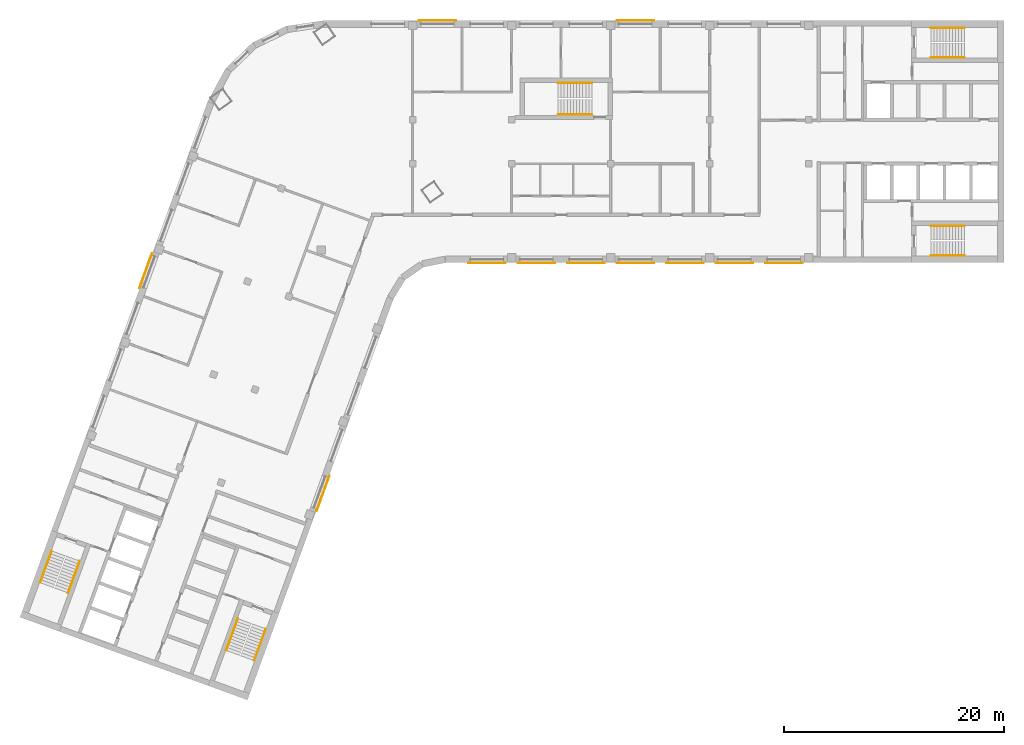
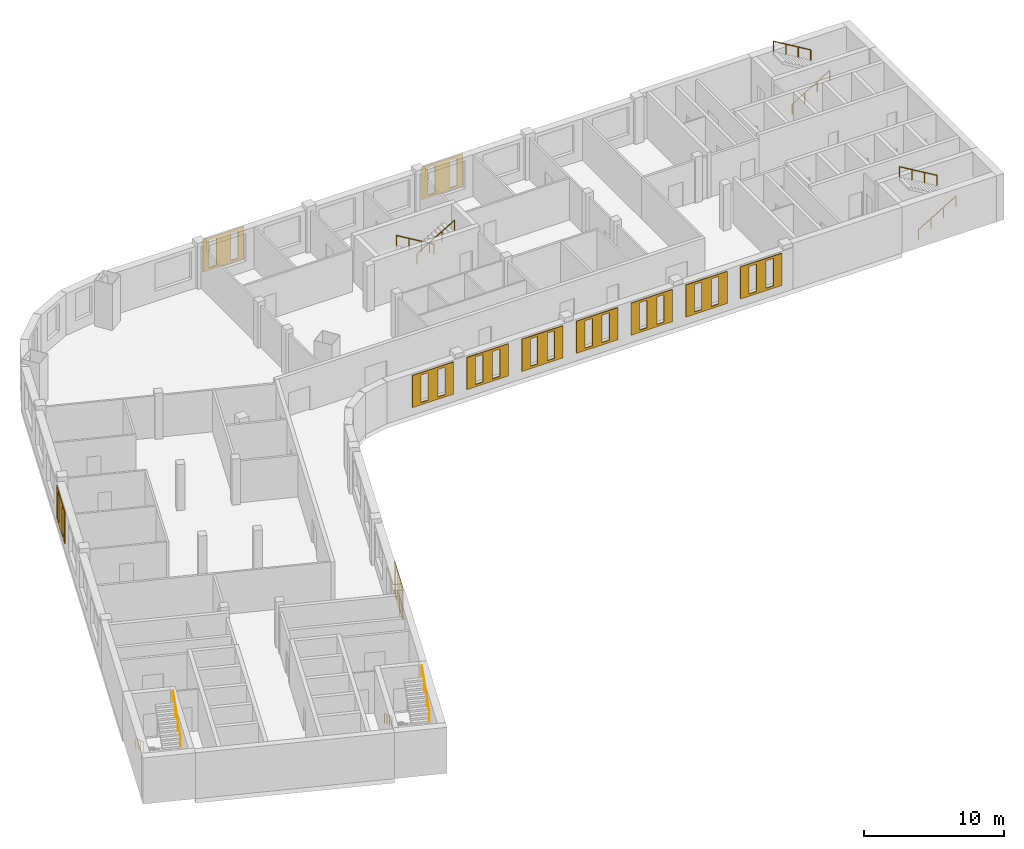
# One storey, part 8 of 8: 11 coverings, 10 railings.
"""IFC4 building model written with IfcOpenShell, lengths in metres."""

from ifc_helpers import new_model, si_unit, direction, frame, origin, origin_2d, place, context, subcontext, project, spatial, polyline, circle, outline, extrude, material, material_profile, profile_set, type_object, element, save


model = new_model("IFC4")

# Units and contexts
model_context = context("Model", 3, precision=1e-05, world=origin(), true_north=direction((0.0, 1.0)))
body_context = subcontext(model_context, "Body", "Model", "MODEL_VIEW")
ifc_project = project(units=[si_unit("LENGTHUNIT", "METRE"), si_unit("AREAUNIT", "SQUARE_METRE"), si_unit("VOLUMEUNIT", "CUBIC_METRE"), si_unit("PLANEANGLEUNIT", "RADIAN"), si_unit("MASSUNIT", "GRAM", prefix="KILO")], contexts=[model_context])

# Site, building, storey
site_placement = place(None, origin())
site = spatial("IfcSite", under=ifc_project, at=site_placement, CompositionType="ELEMENT")
building_placement = place(site_placement, origin())
building = spatial("IfcBuilding", under=site, at=building_placement, Name="Skarvind Civic Tower", CompositionType="ELEMENT")
storey_placement = place(building_placement, frame((0.0, 0.0, 224.0)))
storey = spatial("IfcBuildingStorey", under=building, at=storey_placement, Name="L53", CompositionType="ELEMENT", Elevation=224.0)

# Railings
ifc_material_1 = material(Name="Painted steel handrail", Category="steel")
railing_type = type_object("IfcRailingType", Name="Stair handrail 900", PredefinedType="HANDRAIL", material=ifc_material_1)
railing_1_placement = place(storey_placement, frame((101.35009765625, 135.64990234375, 0.166748046875)))
element("IfcRailing", 1, at=railing_1_placement, inside=storey, type_object=railing_type, Name="Stair handrail", PredefinedType="HANDRAIL", context=body_context, shape_type="SweptSolid", body=[
    extrude(circle(Radius=0.02392578125, at=origin_2d()), frame((0.0, 0.0, 0.8759765625), z_axis=(0.859290745958, 0.0, 0.51148745235), x_axis=(0.0, 1.0, 0.0)), (0.0, 0.0, 1.0), 3.584228515625),
    extrude(circle(Radius=0.02099609375, at=origin_2d()), origin(), (0.0, 0.0, 1.0), 0.851806640625),
    extrude(circle(Radius=0.02099609375, at=origin_2d()), frame((1.026611328125, 0.0, 0.611083984375)), (0.0, 0.0, 1.0), 0.851806640625),
    extrude(circle(Radius=0.02099609375, at=origin_2d()), frame((2.05322265625, 0.0, 1.22216796875)), (0.0, 0.0, 1.0), 0.851806640625),
    extrude(circle(Radius=0.02099609375, at=origin_2d()), frame((3.079833984375, 0.0, 1.833251953125)), (0.0, 0.0, 1.0), 0.851806640625),
])
railing_2_placement = place(storey_placement, frame((104.429931640625, 138.35009765625, 2.166748046875)))
element("IfcRailing", 2, at=railing_2_placement, inside=storey, type_object=railing_type, Name="Stair handrail", PredefinedType="HANDRAIL", context=body_context, shape_type="SweptSolid", body=[
    extrude(circle(Radius=0.02392578125, at=origin_2d()), frame((0.0, 0.0, 0.8759765625), z_axis=(-0.859290745958, 0.0, 0.51148745235), x_axis=(0.0, -1.0, 0.0)), (0.0, 0.0, 1.0), 3.584228515625),
    extrude(circle(Radius=0.02099609375, at=origin_2d()), origin(), (0.0, 0.0, 1.0), 0.851806640625),
    extrude(circle(Radius=0.02099609375, at=origin_2d()), frame((-1.026611328125, 0.0, 0.611083984375)), (0.0, 0.0, 1.0), 0.851806640625),
    extrude(circle(Radius=0.02099609375, at=origin_2d()), frame((-2.05322265625, 0.0, 1.22216796875)), (0.0, 0.0, 1.0), 0.851806640625),
    extrude(circle(Radius=0.02099609375, at=origin_2d()), frame((-3.079833984375, 0.0, 1.833251953125)), (0.0, 0.0, 1.0), 0.851806640625),
])
railing_3_placement = place(storey_placement, frame((101.35009765625, 117.64990234375, 0.166748046875)))
element("IfcRailing", 3, at=railing_3_placement, inside=storey, type_object=railing_type, Name="Stair handrail", PredefinedType="HANDRAIL", context=body_context, shape_type="SweptSolid", body=[
    extrude(circle(Radius=0.02392578125, at=origin_2d()), frame((0.0, 0.0, 0.8759765625), z_axis=(0.859290745958, 0.0, 0.51148745235), x_axis=(0.0, 1.0, 0.0)), (0.0, 0.0, 1.0), 3.584228515625),
    extrude(circle(Radius=0.02099609375, at=origin_2d()), origin(), (0.0, 0.0, 1.0), 0.851806640625),
    extrude(circle(Radius=0.02099609375, at=origin_2d()), frame((1.026611328125, 0.0, 0.611083984375)), (0.0, 0.0, 1.0), 0.851806640625),
    extrude(circle(Radius=0.02099609375, at=origin_2d()), frame((2.05322265625, 0.0, 1.22216796875)), (0.0, 0.0, 1.0), 0.851806640625),
    extrude(circle(Radius=0.02099609375, at=origin_2d()), frame((3.079833984375, 0.0, 1.833251953125)), (0.0, 0.0, 1.0), 0.851806640625),
])
railing_4_placement = place(storey_placement, frame((104.429931640625, 120.35009765625, 2.166748046875)))
element("IfcRailing", 4, at=railing_4_placement, inside=storey, type_object=railing_type, Name="Stair handrail", PredefinedType="HANDRAIL", context=body_context, shape_type="SweptSolid", body=[
    extrude(circle(Radius=0.02392578125, at=origin_2d()), frame((0.0, 0.0, 0.8759765625), z_axis=(-0.859290745958, 0.0, 0.51148745235), x_axis=(0.0, -1.0, 0.0)), (0.0, 0.0, 1.0), 3.584228515625),
    extrude(circle(Radius=0.02099609375, at=origin_2d()), origin(), (0.0, 0.0, 1.0), 0.851806640625),
    extrude(circle(Radius=0.02099609375, at=origin_2d()), frame((-1.026611328125, 0.0, 0.611083984375)), (0.0, 0.0, 1.0), 0.851806640625),
    extrude(circle(Radius=0.02099609375, at=origin_2d()), frame((-2.05322265625, 0.0, 1.22216796875)), (0.0, 0.0, 1.0), 0.851806640625),
    extrude(circle(Radius=0.02099609375, at=origin_2d()), frame((-3.079833984375, 0.0, 1.833251953125)), (0.0, 0.0, 1.0), 0.851806640625),
])
railing_5_placement = place(storey_placement, frame((38.362060546875, 84.64794921875, 0.166748046875)))
element("IfcRailing", 5, at=railing_5_placement, inside=storey, type_object=railing_type, Name="Stair handrail", PredefinedType="HANDRAIL", context=body_context, shape_type="SweptSolid", body=[
    extrude(circle(Radius=0.02392578125, at=origin_2d()), frame((0.0, 0.0, 0.8759765625), z_axis=(-0.293908055923, -0.807480881337, 0.511461319103), x_axis=(0.939689235759, -0.342029443467, 0.0)), (0.0, 0.0, 1.0), 3.584228515625),
    extrude(circle(Radius=0.02099609375, at=origin_2d()), origin(), (0.0, 0.0, 1.0), 0.851806640625),
    extrude(circle(Radius=0.02099609375, at=origin_2d()), frame((-0.35107421875, -0.96484375, 0.611083984375)), (0.0, 0.0, 1.0), 0.851806640625),
    extrude(circle(Radius=0.02099609375, at=origin_2d()), frame((-0.702392578125, -1.929443359375, 1.22216796875)), (0.0, 0.0, 1.0), 0.851806640625),
    extrude(circle(Radius=0.02099609375, at=origin_2d()), frame((-1.053466796875, -2.894287109375, 1.833251953125)), (0.0, 0.0, 1.0), 0.851806640625),
])
railing_6_placement = place(storey_placement, frame((39.845703125, 80.830078125, 2.166748046875)))
element("IfcRailing", 6, at=railing_6_placement, inside=storey, type_object=railing_type, Name="Stair handrail", PredefinedType="HANDRAIL", context=body_context, shape_type="SweptSolid", body=[
    extrude(circle(Radius=0.02392578125, at=origin_2d()), frame((0.0, 0.0, 0.8759765625), z_axis=(0.293908055923, 0.807480881337, 0.511461319103), x_axis=(-0.939689235759, 0.342029443467, 0.0)), (0.0, 0.0, 1.0), 3.584228515625),
    extrude(circle(Radius=0.02099609375, at=origin_2d()), origin(), (0.0, 0.0, 1.0), 0.851806640625),
    extrude(circle(Radius=0.02099609375, at=origin_2d()), frame((0.35107421875, 0.96484375, 0.611083984375)), (0.0, 0.0, 1.0), 0.851806640625),
    extrude(circle(Radius=0.02099609375, at=origin_2d()), frame((0.702392578125, 1.929443359375, 1.22216796875)), (0.0, 0.0, 1.0), 0.851806640625),
    extrude(circle(Radius=0.02099609375, at=origin_2d()), frame((1.053466796875, 2.894287109375, 1.833251953125)), (0.0, 0.0, 1.0), 0.851806640625),
])
railing_7_placement = place(storey_placement, frame((21.447509765625, 90.80419921875, 0.166748046875)))
element("IfcRailing", 7, at=railing_7_placement, inside=storey, type_object=railing_type, Name="Stair handrail", PredefinedType="HANDRAIL", context=body_context, shape_type="SweptSolid", body=[
    extrude(circle(Radius=0.02392578125, at=origin_2d()), frame((0.0, 0.0, 0.8759765625), z_axis=(-0.293845824691, -0.807497044902, 0.511471557163), x_axis=(0.939714709796, -0.34195944817, 0.0)), (0.0, 0.0, 1.0), 3.584228515625),
    extrude(circle(Radius=0.02099609375, at=origin_2d()), origin(), (0.0, 0.0, 1.0), 0.851806640625),
    extrude(circle(Radius=0.02099609375, at=origin_2d()), frame((-0.35107421875, -0.96484375, 0.611083984375)), (0.0, 0.0, 1.0), 0.851806640625),
    extrude(circle(Radius=0.02099609375, at=origin_2d()), frame((-0.7021484375, -1.929443359375, 1.22216796875)), (0.0, 0.0, 1.0), 0.851806640625),
    extrude(circle(Radius=0.02099609375, at=origin_2d()), frame((-1.05322265625, -2.894287109375, 1.833251953125)), (0.0, 0.0, 1.0), 0.851806640625),
])
railing_8_placement = place(storey_placement, frame((22.931396484375, 86.986572265625, 2.166748046875)))
element("IfcRailing", 8, at=railing_8_placement, inside=storey, type_object=railing_type, Name="Stair handrail", PredefinedType="HANDRAIL", context=body_context, shape_type="SweptSolid", body=[
    extrude(circle(Radius=0.02392578125, at=origin_2d()), frame((0.0, 0.0, 0.8759765625), z_axis=(0.293908055923, 0.807480881337, 0.511461319103), x_axis=(-0.939689235759, 0.342029443467, 0.0)), (0.0, 0.0, 1.0), 3.584228515625),
    extrude(circle(Radius=0.02099609375, at=origin_2d()), origin(), (0.0, 0.0, 1.0), 0.851806640625),
    extrude(circle(Radius=0.02099609375, at=origin_2d()), frame((0.35107421875, 0.96484375, 0.611083984375)), (0.0, 0.0, 1.0), 0.851806640625),
    extrude(circle(Radius=0.02099609375, at=origin_2d()), frame((0.702392578125, 1.929443359375, 1.22216796875)), (0.0, 0.0, 1.0), 0.851806640625),
    extrude(circle(Radius=0.02099609375, at=origin_2d()), frame((1.053466796875, 2.894287109375, 1.833251953125)), (0.0, 0.0, 1.0), 0.851806640625),
])
railing_9_placement = place(storey_placement, frame((70.550048828125, 133.35009765625, 0.166748046875)))
element("IfcRailing", 9, at=railing_9_placement, inside=storey, type_object=railing_type, Name="Stair handrail", PredefinedType="HANDRAIL", context=body_context, shape_type="SweptSolid", body=[
    extrude(circle(Radius=0.02392578125, at=origin_2d()), frame((0.0, 0.0, 0.8759765625), z_axis=(-0.859308565015, 0.0, 0.511457515432), x_axis=(0.0, -1.0, 0.0)), (0.0, 0.0, 1.0), 3.58447265625),
    extrude(circle(Radius=0.02099609375, at=origin_2d()), origin(), (0.0, 0.0, 1.0), 0.851806640625),
    extrude(circle(Radius=0.02099609375, at=origin_2d()), frame((-1.026611328125, 0.0, 0.611083984375)), (0.0, 0.0, 1.0), 0.851806640625),
    extrude(circle(Radius=0.02099609375, at=origin_2d()), frame((-2.053466796875, 0.0, 1.22216796875)), (0.0, 0.0, 1.0), 0.851806640625),
    extrude(circle(Radius=0.02099609375, at=origin_2d()), frame((-3.080078125, 0.0, 1.833251953125)), (0.0, 0.0, 1.0), 0.851806640625),
])
railing_10_placement = place(storey_placement, frame((67.469970703125, 130.449951171875, 2.166748046875)))
element("IfcRailing", 10, at=railing_10_placement, inside=storey, type_object=railing_type, Name="Stair handrail", PredefinedType="HANDRAIL", context=body_context, shape_type="SweptSolid", body=[
    extrude(circle(Radius=0.02392578125, at=origin_2d()), frame((0.0, 0.0, 0.8759765625), z_axis=(0.859308565015, 0.0, 0.511457515432), x_axis=(0.0, 1.0, 0.0)), (0.0, 0.0, 1.0), 3.58447265625),
    extrude(circle(Radius=0.02099609375, at=origin_2d()), origin(), (0.0, 0.0, 1.0), 0.851806640625),
    extrude(circle(Radius=0.02099609375, at=origin_2d()), frame((1.026611328125, 0.0, 0.611083984375)), (0.0, 0.0, 1.0), 0.851806640625),
    extrude(circle(Radius=0.02099609375, at=origin_2d()), frame((2.053466796875, 0.0, 1.22216796875)), (0.0, 0.0, 1.0), 0.851806640625),
    extrude(circle(Radius=0.02099609375, at=origin_2d()), frame((3.080078125, 0.0, 1.833251953125)), (0.0, 0.0, 1.0), 0.851806640625),
])

# Coverings
ifc_material_2 = material(Name="Terracotta", Category="masonry")
ifc_material_profile_1 = material_profile(ifc_material_2, outline(polyline([(-1.699951171875, -1.39990234375), (1.699951171875, -1.39990234375), (1.699951171875, 1.39990234375), (-1.699951171875, 1.39990234375), (-1.699951171875, -1.39990234375)]), holes=[polyline([(-1.0, -1.18994140625), (-0.39990234375, -1.18994140625), (-0.39990234375, 1.18994140625), (-1.0, 1.18994140625), (-1.0, -1.18994140625)]), polyline([(0.39990234375, -1.18994140625), (1.0, -1.18994140625), (1.0, 1.18994140625), (0.39990234375, 1.18994140625), (0.39990234375, -1.18994140625)])]), Name="TERRACOTTA SCREEN 3400 x 2800, SLIT PITCH 1400")
ifc_profile_set_1 = profile_set([ifc_material_profile_1], Name="Terracotta")
covering_type_1 = type_object("IfcCoveringType", Name="TERRACOTTA SCREEN 3400 x 2800, SLIT PITCH 1400", PredefinedType="CLADDING", material=ifc_profile_set_1)
for number, where, z_axis, x_axis, name in (
    (11, (88.0, 117.0, 2.10009765625), (0.0, -1.0, 0.0), (1.0, 0.0, 0.0), "TERRACOTTA SCREEN"),
    (12, (83.5, 117.0, 2.10009765625), (0.0, -1.0, 0.0), (1.0, 0.0, 0.0), "TERRACOTTA SCREEN"),
    (13, (79.0, 117.0, 2.10009765625), (0.0, -1.0, 0.0), (1.0, 0.0, 0.0), "TERRACOTTA SCREEN"),
    (14, (74.5, 117.0, 2.10009765625), (0.0, -1.0, 0.0), (1.0, 0.0, 0.0), "TERRACOTTA SCREEN"),
    (15, (70.0, 117.0, 2.10009765625), (0.0, -1.0, 0.0), (1.0, 0.0, 0.0), "TERRACOTTA SCREEN"),
    (16, (65.5, 117.0, 2.10009765625), (0.0, -1.0, 0.0), (1.0, 0.0, 0.0), "TERRACOTTA SCREEN"),
    (17, (61.0, 117.0, 2.10009765625), (0.0, -1.0, 0.0), (1.0, 0.0, 0.0), "TERRACOTTA SCREEN"),
):
    element("IfcCovering", number, at=place(storey_placement, frame(where, z_axis=z_axis, x_axis=x_axis)), inside=storey, type_object=covering_type_1, Name=name, PredefinedType="CLADDING", context=body_context, shape_type="SweptSolid", body=[
        extrude(outline(polyline([(-1.699951171875, -1.39990234375), (1.699951171875, -1.39990234375), (1.699951171875, 1.39990234375), (-1.699951171875, 1.39990234375), (-1.699951171875, -1.39990234375)]), holes=[polyline([(-1.0, -1.18994140625), (-0.39990234375, -1.18994140625), (-0.39990234375, 1.18994140625), (-1.0, 1.18994140625), (-1.0, -1.18994140625)]), polyline([(0.39990234375, -1.18994140625), (1.0, -1.18994140625), (1.0, 1.18994140625), (0.39990234375, 1.18994140625), (0.39990234375, -1.18994140625)])]), origin(), (0.0, 0.0, 1.0), 0.06005859375),
    ])
ifc_material_profile_2 = material_profile(ifc_material_2, outline(polyline([(-1.699951171875, -1.39990234375), (1.699951171875, -1.39990234375), (1.699951171875, 1.39990234375), (-1.699951171875, 1.39990234375), (-1.699951171875, -1.39990234375)]), holes=[polyline([(-1.199951171875, -1.18994140625), (-0.60009765625, -1.18994140625), (-0.60009765625, 1.18994140625), (-1.199951171875, 1.18994140625), (-1.199951171875, -1.18994140625)]), polyline([(0.60009765625, -1.18994140625), (1.199951171875, -1.18994140625), (1.199951171875, 1.18994140625), (0.60009765625, 1.18994140625), (0.60009765625, -1.18994140625)])]), Name="TERRACOTTA SCREEN 3400 x 2800, SLIT PITCH 1800")
ifc_profile_set_2 = profile_set([ifc_material_profile_2], Name="Terracotta")
covering_type_2 = type_object("IfcCoveringType", Name="TERRACOTTA SCREEN 3400 x 2800, SLIT PITCH 1800", PredefinedType="CLADDING", material=ifc_profile_set_2)
for number, where, z_axis, x_axis, name in (
    (18, (46.075927734375, 96.047119140625, 2.10009765625), (0.939793423488, -0.341743063087, 0.0), (0.341743063087, 0.939793423488, 0.0), "TERRACOTTA SCREEN"),
    (19, (56.5, 139.0, 2.10009765625), (0.0, 1.0, 0.0), (-1.0, 0.0, 0.0), "TERRACOTTA SCREEN"),
    (20, (74.5, 139.0, 2.10009765625), (0.0, 1.0, 0.0), (-1.0, 0.0, 0.0), "TERRACOTTA SCREEN"),
    (21, (30.02001953125, 116.25732421875, 2.10009765625), (-0.939793423488, 0.341743063087, 0.0), (-0.341743063087, -0.939793423488, 0.0), "TERRACOTTA SCREEN"),
):
    element("IfcCovering", number, at=place(storey_placement, frame(where, z_axis=z_axis, x_axis=x_axis)), inside=storey, type_object=covering_type_2, Name=name, PredefinedType="CLADDING", context=body_context, shape_type="SweptSolid", body=[
        extrude(outline(polyline([(-1.699951171875, -1.39990234375), (1.699951171875, -1.39990234375), (1.699951171875, 1.39990234375), (-1.699951171875, 1.39990234375), (-1.699951171875, -1.39990234375)]), holes=[polyline([(-1.199951171875, -1.18994140625), (-0.60009765625, -1.18994140625), (-0.60009765625, 1.18994140625), (-1.199951171875, 1.18994140625), (-1.199951171875, -1.18994140625)]), polyline([(0.60009765625, -1.18994140625), (1.199951171875, -1.18994140625), (1.199951171875, 1.18994140625), (0.60009765625, 1.18994140625), (0.60009765625, -1.18994140625)])]), origin(), (0.0, 0.0, 1.0), 0.06005859375),
    ])

save(model, "model.ifc")
